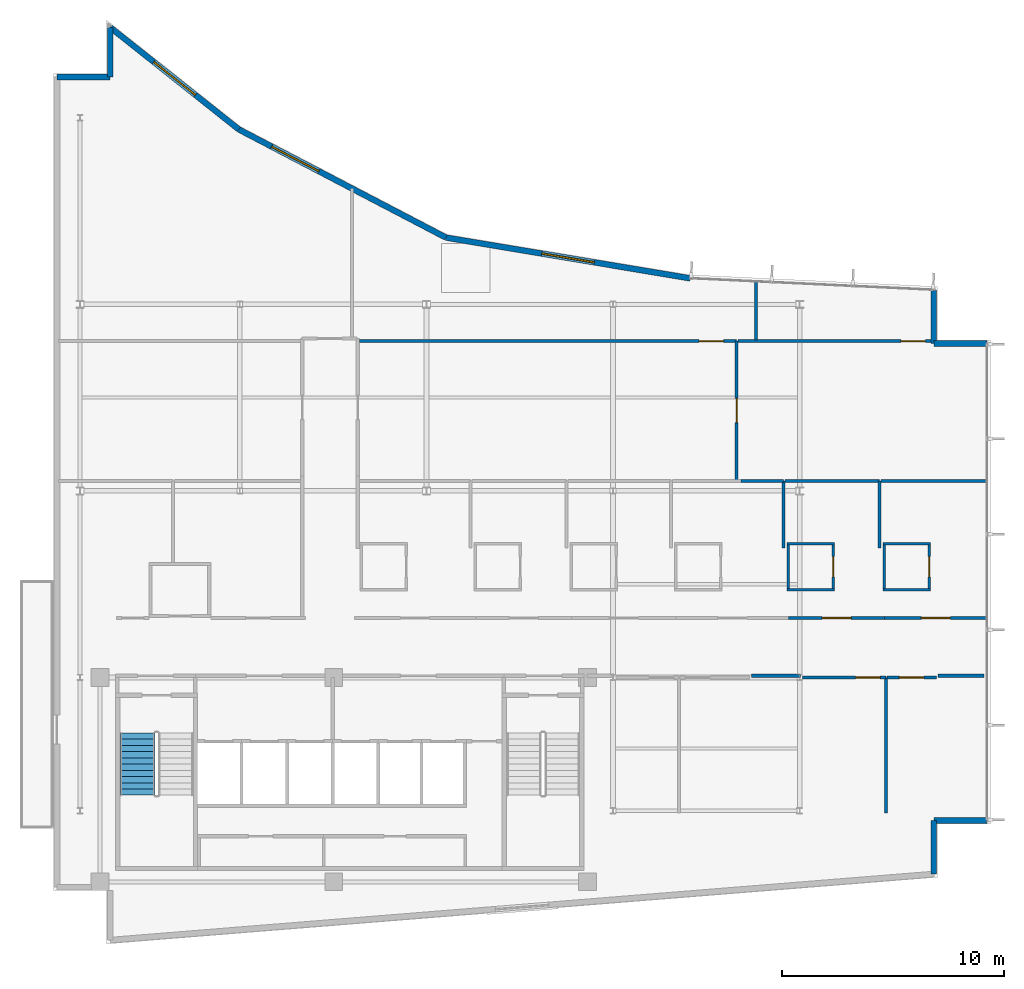
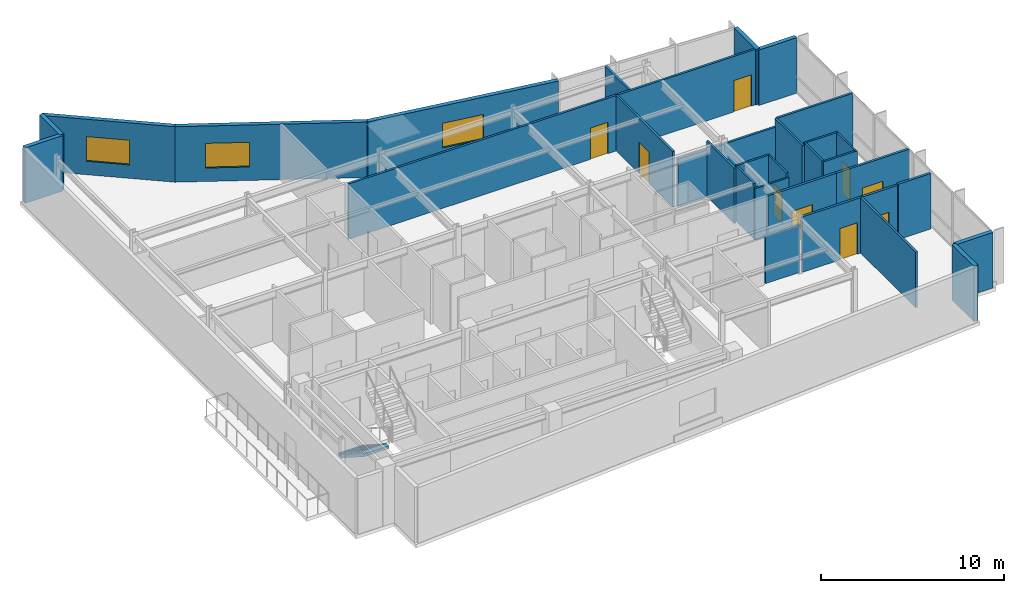
# One storey, part 12 of 16: 33 walls, 9 doors, 3 windows, 1 stair flight, 12 openings, 1 element without a shape of its own.
"""IFC4 building model written with IfcOpenShell, lengths in metres."""

from ifc_helpers import new_model, si_unit, direction, frame, frame_2d, origin, place, context, subcontext, project, spatial, polyline, rectangle, outline, extrude, material, layer, layer_set, type_object, element, fill, aggregate, save


model = new_model("IFC4")

# Units and contexts
model_context = context("Model", 3, precision=1e-05, world=origin(), true_north=direction((0.0, 1.0)))
body_context = subcontext(model_context, "Body", "Model", "MODEL_VIEW")
ifc_project = project(units=[si_unit("LENGTHUNIT", "METRE"), si_unit("AREAUNIT", "SQUARE_METRE"), si_unit("VOLUMEUNIT", "CUBIC_METRE"), si_unit("PLANEANGLEUNIT", "RADIAN"), si_unit("MASSUNIT", "GRAM", prefix="KILO")], contexts=[model_context])

# Site, building, storey
site_placement = place(None, origin())
site = spatial("IfcSite", under=ifc_project, at=site_placement, CompositionType="ELEMENT")
building_placement = place(site_placement, origin())
building = spatial("IfcBuilding", under=site, at=building_placement, Name="Varnakote Quay Hospital", CompositionType="ELEMENT")
storey_placement = place(building_placement, frame((0.0, 0.0, 260.5)))
storey = spatial("IfcBuildingStorey", under=building, at=storey_placement, Name="L64", CompositionType="ELEMENT", Elevation=260.5)

# Walls
ifc_material_1 = material(Name="Fire-rated acoustic gypsum stud wall", Category="gypsum")
ifc_layer_1 = layer(ifc_material_1, 0.159912109375)
ifc_layer_set_1 = layer_set([ifc_layer_1], Name="Fire-rated acoustic gypsum stud wall")
wall_type_1 = type_object("IfcWallType", Name="WL-COMP-160", PredefinedType="PARTITIONING", material=ifc_layer_set_1)
wall_1_placement = place(storey_placement, frame((31.439208984375, 12.080078125, 0.0), z_axis=(0.0, 0.0, 1.0), x_axis=(1.0, 0.0, 0.0)))
element("IfcWall", 1, at=wall_1_placement, inside=storey, type_object=wall_type_1, Name="L64 Corridor South Gap Wall", PredefinedType="PARTITIONING", context=body_context, shape_type="SweptSolid", body=[
    extrude(rectangle(XDim=2.198486328125, YDim=0.159912109375, at=frame_2d((1.09912109375, 0.0))), origin(), (0.0, 0.0, 1.0), 3.156982421875),
])
wall_2_placement = place(storey_placement, frame((39.83935546875, 12.080078125, 0.0), z_axis=(0.0, 0.0, 1.0), x_axis=(1.0, 0.0, 0.0)))
element("IfcWall", 2, at=wall_2_placement, inside=storey, type_object=wall_type_1, Name="L64 Corridor South Gap Wall", PredefinedType="PARTITIONING", context=body_context, shape_type="SweptSolid", body=[
    extrude(rectangle(XDim=2.060546875, YDim=0.159912109375, at=frame_2d((1.0302734375, 0.0))), origin(), (0.0, 0.0, 1.0), 3.7099609375),
])
ifc_material_2 = material(Name="Moisture-resistant bathroom partition", Category="gypsum")
ifc_layer_2 = layer(ifc_material_2, 0.114990234375)
ifc_layer_set_2 = layer_set([ifc_layer_2], Name="Moisture-resistant bathroom partition")
wall_type_2 = type_object("IfcWallType", Name="WL-ENS-115", PredefinedType="PARTITIONING", material=ifc_layer_set_2)
wall_3_placement = place(storey_placement, frame((33.02490234375, 15.952392578125, 0.0), z_axis=(0.0, 0.0, 1.0), x_axis=(1.0, 0.0, 0.0)))
element("IfcWall", 3, at=wall_3_placement, inside=storey, type_object=wall_type_2, Name="L64 Inpatient En-Suite Bathroom 05 S Wall", PredefinedType="PARTITIONING", context=body_context, shape_type="SweptSolid", body=[
    extrude(rectangle(XDim=2.150146484375, YDim=0.114990234375, at=frame_2d((1.0751953125, 0.0))), origin(), (0.0, 0.0, 1.0), 3.428955078125),
])
wall_4_placement = place(storey_placement, frame((33.02490234375, 18.017578125, 0.0), z_axis=(0.0, 0.0, 1.0), x_axis=(1.0, 0.0, 0.0)))
element("IfcWall", 4, at=wall_4_placement, inside=storey, type_object=wall_type_2, Name="L64 Inpatient En-Suite Bathroom 05 N Wall", PredefinedType="PARTITIONING", context=body_context, shape_type="SweptSolid", body=[
    extrude(rectangle(XDim=2.150146484375, YDim=0.114990234375, at=frame_2d((1.0751953125, 0.0))), origin(), (0.0, 0.0, 1.0), 3.7099609375),
])
wall_5_placement = place(storey_placement, frame((33.08251953125, 16.010009765625, 0.0), z_axis=(0.0, 0.0, 1.0), x_axis=(0.0, 1.0, 0.0)))
element("IfcWall", 5, at=wall_5_placement, inside=storey, type_object=wall_type_2, Name="L64 Inpatient En-Suite Bathroom 05 W Wall", PredefinedType="PARTITIONING", context=body_context, shape_type="SweptSolid", body=[
    extrude(rectangle(XDim=1.949951171875, YDim=0.114990234375, at=frame_2d((0.97509765625, 0.0))), origin(), (0.0, 0.0, 1.0), 3.7099609375),
])

# Wall, opening, door
wall_6_placement = place(storey_placement, frame((35.117431640625, 16.010009765625, 0.0), z_axis=(0.0, 0.0, 1.0), x_axis=(0.0, 1.0, 0.0)))
wall_6 = element("IfcWall", 6, at=wall_6_placement, inside=storey, type_object=wall_type_2, Name="L64 Inpatient En-Suite Bathroom 05 E Wall", PredefinedType="PARTITIONING", context=body_context, shape_type="SweptSolid", body=[
    extrude(rectangle(XDim=1.949951171875, YDim=0.114990234375, at=frame_2d((0.97509765625, 0.0))), origin(), (0.0, 0.0, 1.0), 3.7099609375),
])
opening_1_placement = place(wall_6_placement, frame((0.514892578125, 0.0, 0.0)))
opening_1 = element("IfcOpeningElement", 7, at=opening_1_placement, cuts=wall_6, Name="Opening D-L64-ENS05", PredefinedType="OPENING", context=body_context, shape_type="SweptSolid", body=[
    extrude(rectangle(XDim=0.919921875, YDim=2.10009765625, at=frame_2d((0.4599609375, 1.050048828125))), frame((0.0, 0.0673828125, 0.0), z_axis=(0.0, -1.0, 0.0), x_axis=(1.0, 0.0, 0.0)), (0.0, 0.0, 1.0), 0.135009765625),
])
ifc_material_3 = material(Name="Moisture-sealed en-suite bathroom door")
door_type_1 = type_object("IfcDoorType", Name="DR-ENS-920x2100", OperationType="NOTDEFINED", PredefinedType="DOOR", material=ifc_material_3)
door_1_placement = place(opening_1_placement, origin())
door_1 = element("IfcDoor", 8, at=door_1_placement, inside=storey, type_object=door_type_1, Name="L64 Inpatient En-Suite Bathroom 05 Door", OperationType="SINGLE_SWING_LEFT", OverallHeight=2.10009765625, OverallWidth=0.919921875, PredefinedType="DOOR", context=body_context, shape_type="SweptSolid", body=[
    extrude(rectangle(XDim=0.919921875, YDim=2.10009765625, at=frame_2d((0.4599609375, 1.050048828125))), frame((0.0, 0.02490234375, 0.0), z_axis=(0.0, -1.0, 0.0), x_axis=(1.0, 0.0, 0.0)), (0.0, 0.0, 1.0), 0.050048828125),
])
fill(opening_1, door_1)

# Walls
for number, where, z_axis, x_axis, name in (
    (9, (37.344970703125, 15.952392578125, 0.0), (0.0, 0.0, 1.0), (1.0, 0.0, 0.0), "L64 Inpatient En-Suite Bathroom 06 S Wall"),
    (10, (37.344970703125, 18.017578125, 0.0), (0.0, 0.0, 1.0), (1.0, 0.0, 0.0), "L64 Inpatient En-Suite Bathroom 06 N Wall"),
):
    element("IfcWall", number, at=place(storey_placement, frame(where, z_axis=z_axis, x_axis=x_axis)), inside=storey, type_object=wall_type_2, Name=name, PredefinedType="PARTITIONING", context=body_context, shape_type="SweptSolid", body=[
        extrude(rectangle(XDim=2.150146484375, YDim=0.114990234375, at=frame_2d((1.0751953125, 0.0))), origin(), (0.0, 0.0, 1.0), 3.7099609375),
    ])
wall_7_placement = place(storey_placement, frame((37.402587890625, 16.010009765625, 0.0), z_axis=(0.0, 0.0, 1.0), x_axis=(0.0, 1.0, 0.0)))
element("IfcWall", 11, at=wall_7_placement, inside=storey, type_object=wall_type_2, Name="L64 Inpatient En-Suite Bathroom 06 W Wall", PredefinedType="PARTITIONING", context=body_context, shape_type="SweptSolid", body=[
    extrude(rectangle(XDim=1.949951171875, YDim=0.114990234375, at=frame_2d((0.97509765625, 0.0))), origin(), (0.0, 0.0, 1.0), 3.7099609375),
])

# Wall, opening, door
wall_8_placement = place(storey_placement, frame((39.4375, 16.010009765625, 0.0), z_axis=(0.0, 0.0, 1.0), x_axis=(0.0, 1.0, 0.0)))
wall_8 = element("IfcWall", 12, at=wall_8_placement, inside=storey, type_object=wall_type_2, Name="L64 Inpatient En-Suite Bathroom 06 E Wall", PredefinedType="PARTITIONING", context=body_context, shape_type="SweptSolid", body=[
    extrude(rectangle(XDim=1.949951171875, YDim=0.114990234375, at=frame_2d((0.97509765625, 0.0))), origin(), (0.0, 0.0, 1.0), 3.7099609375),
])
opening_2_placement = place(wall_8_placement, frame((0.514892578125, 0.0, 0.0)))
opening_2 = element("IfcOpeningElement", 13, at=opening_2_placement, cuts=wall_8, Name="Opening D-L64-ENS06", PredefinedType="OPENING", context=body_context, shape_type="SweptSolid", body=[
    extrude(rectangle(XDim=0.919921875, YDim=2.10009765625, at=frame_2d((0.4599609375, 1.050048828125))), frame((0.0, 0.0673828125, 0.0), z_axis=(0.0, -1.0, 0.0), x_axis=(1.0, 0.0, 0.0)), (0.0, 0.0, 1.0), 0.135009765625),
])
door_2_placement = place(opening_2_placement, origin())
door_2 = element("IfcDoor", 14, at=door_2_placement, inside=storey, type_object=door_type_1, Name="L64 Inpatient En-Suite Bathroom 06 Door", OperationType="SINGLE_SWING_RIGHT", OverallHeight=2.10009765625, OverallWidth=0.919921875, PredefinedType="DOOR", context=body_context, shape_type="SweptSolid", body=[
    extrude(rectangle(XDim=0.919921875, YDim=2.10009765625, at=frame_2d((0.4599609375, 1.050048828125))), frame((0.0, 0.02490234375, 0.0), z_axis=(0.0, -1.0, 0.0), x_axis=(1.0, 0.0, 0.0)), (0.0, 0.0, 1.0), 0.050048828125),
])
fill(opening_2, door_2)

# Walls
ifc_material_4 = material(Name="Precast concrete N50 (f'c 50 MPa)", Category="concrete")
ifc_layer_3 = layer(ifc_material_4, 0.260009765625)
ifc_layer_set_3 = layer_set([ifc_layer_3], Name="Precast concrete N50 (f'c 50 MPa)")
wall_type_3 = type_object("IfcWallType", Name="WL-EXT-BRICK-260", PredefinedType="STANDARD", material=ifc_layer_set_3)
wall_9_placement = place(storey_placement, frame((39.639892578125, 3.147705078125, 0.0), z_axis=(0.0, 0.0, 1.0), x_axis=(0.0, 1.0, 0.0)))
element("IfcWall", 15, at=wall_9_placement, inside=storey, type_object=wall_type_3, Name="L64 Brick-Faced Precast Exterior Wall", PredefinedType="STANDARD", context=body_context, shape_type="SweptSolid", body=[
    extrude(rectangle(XDim=2.412353515625, YDim=0.260009765625, at=frame_2d((1.2060546875, 0.0))), origin(), (0.0, 0.0, 1.0), 3.7099609375),
])
for number, where, z_axis, x_axis, name in (
    (16, (39.639892578125, 5.56005859375, 0.0), (0.0, 0.0, 1.0), (1.0, 0.0, 0.0), "L64 Brick-Faced Precast Exterior Wall"),
    (17, (42.0400390625, 27.0400390625, 0.0), (0.0, 0.0, 1.0), (-1.0, 0.0, 0.0), "L64 Brick-Faced Precast Exterior Wall"),
):
    element("IfcWall", number, at=place(storey_placement, frame(where, z_axis=z_axis, x_axis=x_axis)), inside=storey, type_object=wall_type_3, Name=name, PredefinedType="STANDARD", context=body_context, shape_type="SweptSolid", body=[
        extrude(rectangle(XDim=2.400146484375, YDim=0.260009765625, at=frame_2d((1.2001953125, 0.0))), origin(), (0.0, 0.0, 1.0), 3.7099609375),
    ])
wall_10_placement = place(storey_placement, frame((39.639892578125, 27.0400390625, 0.0), z_axis=(0.0, 0.0, 1.0), x_axis=(0.0, 1.0, 0.0)))
element("IfcWall", 18, at=wall_10_placement, inside=storey, type_object=wall_type_3, Name="L64 Brick-Faced Precast Exterior Wall", PredefinedType="STANDARD", context=body_context, shape_type="SweptSolid", body=[
    extrude(rectangle(XDim=2.407470703125, YDim=0.260009765625, at=frame_2d((1.20361328125, 0.0))), origin(), (0.0, 0.0, 1.0), 3.7099609375),
])

# Wall, opening, window
wall_11_placement = place(storey_placement, frame((28.678955078125, 29.968505859375, 0.0), z_axis=(0.0, 0.0, 1.0), x_axis=(-0.986343023061, 0.164704100918, 0.0)))
wall_11 = element("IfcWall", 19, at=wall_11_placement, inside=storey, type_object=wall_type_3, Name="L64 Brick-Faced Precast Exterior Wall", PredefinedType="STANDARD", context=body_context, shape_type="SweptSolid", body=[
    extrude(rectangle(XDim=11.15869140625, YDim=0.260009765625, at=frame_2d((5.579345703125, 0.0))), origin(), (0.0, 0.0, 1.0), 3.7099609375),
])
opening_3_placement = place(wall_11_placement, frame((4.37939453125, 0.0, 0.89990234375)))
opening_3 = element("IfcOpeningElement", 20, at=opening_3_placement, cuts=wall_11, Name="Opening WN-0259", PredefinedType="OPENING", context=body_context, shape_type="SweptSolid", body=[
    extrude(rectangle(XDim=2.39990234375, YDim=1.64990234375, at=frame_2d((1.199951171875, 0.824951171875))), frame((0.0, 0.139892578125, 0.0), z_axis=(0.0, -1.0, 0.0), x_axis=(1.0, 0.0, 0.0)), (0.0, 0.0, 1.0), 0.280029296875),
])
ifc_material_5 = material(Name="Double-glazed low-E solar glass", Category="glass")
window_type = type_object("IfcWindowType", Name="WIN-CLIN-2400x1650", PartitioningType="SINGLE_PANEL", PredefinedType="WINDOW", material=ifc_material_5)
window_1_placement = place(opening_3_placement, origin())
window_1 = element("IfcWindow", 21, at=window_1_placement, inside=storey, type_object=window_type, Name="L64 Solar-Control Clinical Window", OverallHeight=1.64990234375, OverallWidth=2.39990234375, PartitioningType="SINGLE_PANEL", PredefinedType="WINDOW", context=body_context, shape_type="SweptSolid", body=[
    extrude(rectangle(XDim=2.39990234375, YDim=1.64990234375, at=frame_2d((1.199951171875, 0.824951171875))), frame((0.0, 0.030029296875, 0.0), z_axis=(0.0, -1.0, 0.0), x_axis=(1.0, 0.0, 0.0)), (0.0, 0.0, 1.0), 0.06005859375),
])
fill(opening_3, window_1)

wall_12_placement = place(storey_placement, frame((17.672607421875, 31.806396484375, 0.0), z_axis=(0.0, 0.0, 1.0), x_axis=(-0.886426635565, 0.462869117311, 0.0)))
wall_12 = element("IfcWall", 22, at=wall_12_placement, inside=storey, type_object=wall_type_3, Name="L64 Brick-Faced Precast Exterior Wall", PredefinedType="STANDARD", context=body_context, shape_type="SweptSolid", body=[
    extrude(rectangle(XDim=10.51416015625, YDim=0.260009765625, at=frame_2d((5.257080078125, 0.0))), origin(), (0.0, 0.0, 1.0), 3.7099609375),
])
opening_4_placement = place(wall_12_placement, frame((6.44873046875, 0.0, 0.89990234375)))
opening_4 = element("IfcOpeningElement", 23, at=opening_4_placement, cuts=wall_12, Name="Opening WN-0260", PredefinedType="OPENING", context=body_context, shape_type="SweptSolid", body=[
    extrude(rectangle(XDim=2.39990234375, YDim=1.64990234375, at=frame_2d((1.199951171875, 0.824951171875))), frame((0.0, 0.139892578125, 0.0), z_axis=(0.0, -1.0, 0.0), x_axis=(1.0, 0.0, 0.0)), (0.0, 0.0, 1.0), 0.280029296875),
])
window_2_placement = place(opening_4_placement, origin())
window_2 = element("IfcWindow", 24, at=window_2_placement, inside=storey, type_object=window_type, Name="L64 Solar-Control Clinical Window", OverallHeight=1.64990234375, OverallWidth=2.39990234375, PartitioningType="SINGLE_PANEL", PredefinedType="WINDOW", context=body_context, shape_type="SweptSolid", body=[
    extrude(rectangle(XDim=2.39990234375, YDim=1.64990234375, at=frame_2d((1.199951171875, 0.824951171875))), frame((0.0, 0.030029296875, 0.0), z_axis=(0.0, -1.0, 0.0), x_axis=(1.0, 0.0, 0.0)), (0.0, 0.0, 1.0), 0.06005859375),
])
fill(opening_4, window_2)

wall_13_placement = place(storey_placement, frame((8.3525390625, 36.673095703125, 0.0), z_axis=(0.0, 0.0, 1.0), x_axis=(-0.783387911746, 0.621533088203, 0.0)))
wall_13 = element("IfcWall", 25, at=wall_13_placement, inside=storey, type_object=wall_type_3, Name="L64 Brick-Faced Precast Exterior Wall", PredefinedType="STANDARD", context=body_context, shape_type="SweptSolid", body=[
    extrude(rectangle(XDim=7.39404296875, YDim=0.260009765625, at=frame_2d((3.697021484375, 0.0))), origin(), (0.0, 0.0, 1.0), 3.7099609375),
])
opening_5_placement = place(wall_13_placement, frame((2.4970703125, 0.0, 0.89990234375)))
opening_5 = element("IfcOpeningElement", 26, at=opening_5_placement, cuts=wall_13, Name="Opening WN-0261", PredefinedType="OPENING", context=body_context, shape_type="SweptSolid", body=[
    extrude(rectangle(XDim=2.39990234375, YDim=1.64990234375, at=frame_2d((1.199951171875, 0.824951171875))), frame((0.0, 0.139892578125, 0.0), z_axis=(0.0, -1.0, 0.0), x_axis=(1.0, 0.0, 0.0)), (0.0, 0.0, 1.0), 0.280029296875),
])
window_3_placement = place(opening_5_placement, origin())
window_3 = element("IfcWindow", 27, at=window_3_placement, inside=storey, type_object=window_type, Name="L64 Solar-Control Clinical Window", OverallHeight=1.64990234375, OverallWidth=2.39990234375, PartitioningType="SINGLE_PANEL", PredefinedType="WINDOW", context=body_context, shape_type="SweptSolid", body=[
    extrude(rectangle(XDim=2.39990234375, YDim=1.64990234375, at=frame_2d((1.199951171875, 0.824951171875))), frame((0.0, 0.030029296875, 0.0), z_axis=(0.0, -1.0, 0.0), x_axis=(1.0, 0.0, 0.0)), (0.0, 0.0, 1.0), 0.06005859375),
])
fill(opening_5, window_3)

# Walls
wall_14_placement = place(storey_placement, frame((2.56005859375, 41.268798828125, 0.0), z_axis=(0.0, 0.0, 1.0), x_axis=(0.0, -1.0, 0.0)))
element("IfcWall", 28, at=wall_14_placement, inside=storey, type_object=wall_type_3, Name="L64 Brick-Faced Precast Exterior Wall", PredefinedType="STANDARD", context=body_context, shape_type="SweptSolid", body=[
    extrude(rectangle(XDim=2.228759765625, YDim=0.260009765625, at=frame_2d((1.1142578125, 0.0))), origin(), (0.0, 0.0, 1.0), 3.7099609375),
])
wall_15_placement = place(storey_placement, frame((2.56005859375, 39.0400390625, 0.0), z_axis=(0.0, 0.0, 1.0), x_axis=(-1.0, 0.0, 0.0)))
element("IfcWall", 29, at=wall_15_placement, inside=storey, type_object=wall_type_3, Name="L64 Brick-Faced Precast Exterior Wall", PredefinedType="STANDARD", context=body_context, shape_type="SweptSolid", body=[
    extrude(rectangle(XDim=2.400146484375, YDim=0.260009765625, at=frame_2d((1.2001953125, 0.0))), origin(), (0.0, 0.0, 1.0), 3.7099609375),
])
ifc_material_6 = material(Name="Smoke-proof clinical partition", Category="gypsum")
ifc_layer_4 = layer(ifc_material_6, 0.135009765625)
ifc_layer_set_4 = layer_set([ifc_layer_4], Name="Smoke-proof clinical partition")
wall_type_4 = type_object("IfcWallType", Name="WL-SMOKE-135", PredefinedType="PARTITIONING", material=ifc_layer_set_4)
wall_16_placement = place(storey_placement, frame((37.47998046875, 5.89990234375, 0.0), z_axis=(0.0, 0.0, 1.0), x_axis=(0.0, 1.0, 0.0)))
element("IfcWall", 30, at=wall_16_placement, inside=storey, type_object=wall_type_4, Name="L64 Clinical Interior Partition", PredefinedType="PARTITIONING", context=body_context, shape_type="SweptSolid", body=[
    extrude(rectangle(XDim=6.10009765625, YDim=0.135009765625, at=frame_2d((3.050048828125, 0.0))), origin(), (0.0, 0.0, 1.0), 3.7099609375),
])
wall_17_placement = place(storey_placement, frame((32.8798828125, 17.83251953125, 0.0), z_axis=(0.0, 0.0, 1.0), x_axis=(0.0, 1.0, 0.0)))
element("IfcWall", 31, at=wall_17_placement, inside=storey, type_object=wall_type_4, Name="L64 Clinical Interior Partition", PredefinedType="PARTITIONING", context=body_context, shape_type="SweptSolid", body=[
    extrude(rectangle(XDim=3.007568359375, YDim=0.135009765625, at=frame_2d((1.50390625, 0.0))), origin(), (0.0, 0.0, 1.0), 3.7099609375),
])
wall_18_placement = place(storey_placement, frame((32.8798828125, 20.840087890625, 0.0), z_axis=(0.0, 0.0, 1.0), x_axis=(-1.0, 0.0, 0.0)))
element("IfcWall", 32, at=wall_18_placement, inside=storey, type_object=wall_type_4, Name="L64 Clinical Interior Partition", PredefinedType="PARTITIONING", context=body_context, shape_type="SweptSolid", body=[
    extrude(rectangle(XDim=1.910400390625, YDim=0.135009765625, at=frame_2d((0.955078125, 0.0))), origin(), (0.0, 0.0, 1.0), 3.156982421875),
])
wall_19_placement = place(storey_placement, frame((37.199951171875, 17.83251953125, 0.0), z_axis=(0.0, 0.0, 1.0), x_axis=(0.0, 1.0, 0.0)))
element("IfcWall", 33, at=wall_19_placement, inside=storey, type_object=wall_type_4, Name="L64 Clinical Interior Partition", PredefinedType="PARTITIONING", context=body_context, shape_type="SweptSolid", body=[
    extrude(rectangle(XDim=3.007568359375, YDim=0.135009765625, at=frame_2d((1.50390625, 0.0))), origin(), (0.0, 0.0, 1.0), 3.7099609375),
])
wall_20_placement = place(storey_placement, frame((37.199951171875, 20.840087890625, 0.0), z_axis=(0.0, 0.0, 1.0), x_axis=(-1.0, 0.0, 0.0)))
element("IfcWall", 34, at=wall_20_placement, inside=storey, type_object=wall_type_4, Name="L64 Clinical Interior Partition", PredefinedType="PARTITIONING", context=body_context, shape_type="SweptSolid", body=[
    extrude(rectangle(XDim=4.262451171875, YDim=0.135009765625, at=frame_2d((2.13134765625, 0.0))), origin(), (0.0, 0.0, 1.0), 3.156982421875),
])
wall_21_placement = place(storey_placement, frame((42.0400390625, 20.840087890625, 0.0), z_axis=(0.0, 0.0, 1.0), x_axis=(-1.0, 0.0, 0.0)))
element("IfcWall", 35, at=wall_21_placement, inside=storey, type_object=wall_type_4, Name="L64 Clinical Interior Partition", PredefinedType="PARTITIONING", context=body_context, shape_type="SweptSolid", body=[
    extrude(rectangle(XDim=4.782470703125, YDim=0.135009765625, at=frame_2d((2.39111328125, 0.0))), origin(), (0.0, 0.0, 1.0), 3.7099609375),
])

# Wall, opening, door
wall_22_placement = place(storey_placement, frame((30.760009765625, 20.8974609375, 0.0), z_axis=(0.0, 0.0, 1.0), x_axis=(0.0, 1.0, 0.0)))
wall_22 = element("IfcWall", 36, at=wall_22_placement, inside=storey, type_object=wall_type_4, Name="L64 Clinical Interior Partition", PredefinedType="PARTITIONING", context=body_context, shape_type="SweptSolid", body=[
    extrude(rectangle(XDim=6.242431640625, YDim=0.135009765625, at=frame_2d((3.12109375, 0.0))), origin(), (0.0, 0.0, 1.0), 3.7099609375),
])
opening_6_placement = place(wall_22_placement, frame((2.5712890625, 0.0, 0.0)))
opening_6 = element("IfcOpeningElement", 37, at=opening_6_placement, cuts=wall_22, Name="Opening D-L64-MD04", PredefinedType="OPENING", context=body_context, shape_type="SweptSolid", body=[
    extrude(rectangle(XDim=1.10009765625, YDim=2.10009765625, at=frame_2d((0.550048828125, 1.050048828125))), frame((0.0, 0.077392578125, 0.0), z_axis=(0.0, -1.0, 0.0), x_axis=(1.0, 0.0, 0.0)), (0.0, 0.0, 1.0), 0.155029296875),
])
ifc_material_7 = material(Name="Acoustic timber clinical consult door", Category="wood")
door_type_2 = type_object("IfcDoorType", Name="DR-CLIN-FD30S-1100x2100", OperationType="NOTDEFINED", PredefinedType="DOOR", material=ifc_material_7)
door_3_placement = place(opening_6_placement, origin())
door_3 = element("IfcDoor", 38, at=door_3_placement, inside=storey, type_object=door_type_2, Name="L64 Ward Medication Pantry Door", OperationType="SINGLE_SWING_RIGHT", OverallHeight=2.10009765625, OverallWidth=1.10009765625, PredefinedType="DOOR", context=body_context, shape_type="SweptSolid", body=[
    extrude(rectangle(XDim=1.10009765625, YDim=2.10009765625, at=frame_2d((0.550048828125, 1.050048828125))), frame((0.0, 0.02490234375, 0.0), z_axis=(0.0, -1.0, 0.0), x_axis=(1.0, 0.0, 0.0)), (0.0, 0.0, 1.0), 0.050048828125),
])
fill(opening_6, door_3)

wall_23_placement = place(storey_placement, frame((30.760009765625, 27.139892578125, 0.0), z_axis=(0.0, 0.0, 1.0), x_axis=(-1.0, 0.0, 0.0)))
wall_23 = element("IfcWall", 39, at=wall_23_placement, inside=storey, type_object=wall_type_4, Name="L64 Clinical Interior Partition", PredefinedType="PARTITIONING", context=body_context, shape_type="SweptSolid", body=[
    extrude(rectangle(XDim=16.97998046875, YDim=0.135009765625, at=frame_2d((8.489990234375, 0.0))), origin(), (0.0, 0.0, 1.0), 3.7099609375),
])
opening_7_placement = place(wall_23_placement, frame((0.5869140625, 0.0, 0.0)))
opening_7 = element("IfcOpeningElement", 40, at=opening_7_placement, cuts=wall_23, Name="Opening D-L64-MD06", PredefinedType="OPENING", context=body_context, shape_type="SweptSolid", body=[
    extrude(rectangle(XDim=1.10009765625, YDim=2.10009765625, at=frame_2d((0.550048828125, 1.050048828125))), frame((0.0, 0.077392578125, 0.0), z_axis=(0.0, -1.0, 0.0), x_axis=(1.0, 0.0, 0.0)), (0.0, 0.0, 1.0), 0.155029296875),
])
door_4_placement = place(opening_7_placement, origin())
door_4 = element("IfcDoor", 41, at=door_4_placement, inside=storey, type_object=door_type_2, Name="L64 High-Acuity Step-Down Treatment Suite Door", OperationType="SINGLE_SWING_LEFT", OverallHeight=2.10009765625, OverallWidth=1.10009765625, PredefinedType="DOOR", context=body_context, shape_type="SweptSolid", body=[
    extrude(rectangle(XDim=1.10009765625, YDim=2.10009765625, at=frame_2d((0.550048828125, 1.050048828125))), frame((0.0, 0.02490234375, 0.0), z_axis=(0.0, -1.0, 0.0), x_axis=(1.0, 0.0, 0.0)), (0.0, 0.0, 1.0), 0.050048828125),
])
fill(opening_7, door_4)

wall_24_placement = place(storey_placement, frame((39.637939453125, 27.139892578125, 0.0), z_axis=(0.0, 0.0, 1.0), x_axis=(-1.0, 0.0, 0.0)))
wall_24 = element("IfcWall", 42, at=wall_24_placement, inside=storey, type_object=wall_type_4, Name="L64 Clinical Interior Partition", PredefinedType="PARTITIONING", context=body_context, shape_type="SweptSolid", body=[
    extrude(rectangle(XDim=8.820556640625, YDim=0.135009765625, at=frame_2d((4.41015625, 0.0))), origin(), (0.0, 0.0, 1.0), 3.7099609375),
])
opening_8_placement = place(wall_24_placement, frame((0.383056640625, 0.0, 0.0)))
opening_8 = element("IfcOpeningElement", 43, at=opening_8_placement, cuts=wall_24, Name="Opening D-L64-MD07", PredefinedType="OPENING", context=body_context, shape_type="SweptSolid", body=[
    extrude(rectangle(XDim=1.10009765625, YDim=2.10009765625, at=frame_2d((0.550048828125, 1.050048828125))), frame((0.0, 0.077392578125, 0.0), z_axis=(0.0, -1.0, 0.0), x_axis=(1.0, 0.0, 0.0)), (0.0, 0.0, 1.0), 0.155029296875),
])
door_5_placement = place(opening_8_placement, origin())
door_5 = element("IfcDoor", 44, at=door_5_placement, inside=storey, type_object=door_type_2, Name="L64 Surgical Clinical Consultation Suite Door", OperationType="SINGLE_SWING_RIGHT", OverallHeight=2.10009765625, OverallWidth=1.10009765625, PredefinedType="DOOR", context=body_context, shape_type="SweptSolid", body=[
    extrude(rectangle(XDim=1.10009765625, YDim=2.10009765625, at=frame_2d((0.550048828125, 1.050048828125))), frame((0.0, 0.02490234375, 0.0), z_axis=(0.0, -1.0, 0.0), x_axis=(1.0, 0.0, 0.0)), (0.0, 0.0, 1.0), 0.050048828125),
])
fill(opening_8, door_5)

# Wall
wall_25_placement = place(storey_placement, frame((31.639892578125, 27.197509765625, 0.0), z_axis=(0.0, 0.0, 1.0), x_axis=(0.0, 1.0, 0.0)))
element("IfcWall", 45, at=wall_25_placement, inside=storey, type_object=wall_type_4, Name="L64 Clinical Interior Partition", PredefinedType="PARTITIONING", context=body_context, shape_type="SweptSolid", body=[
    extrude(rectangle(XDim=2.63037109375, YDim=0.135009765625, at=frame_2d((1.315185546875, 0.0))), origin(), (0.0, 0.0, 1.0), 3.7099609375),
])

# Wall, opening, door
ifc_material_8 = material(Name="Fire-rated clinical gypsum partition", Category="gypsum")
ifc_layer_5 = layer(ifc_material_8, 0.14990234375)
ifc_layer_set_5 = layer_set([ifc_layer_5], Name="Fire-rated clinical gypsum partition")
wall_type_5 = type_object("IfcWallType", Name="WL-WARD-150", PredefinedType="PARTITIONING", material=ifc_layer_set_5)
wall_26_placement = place(storey_placement, frame((37.47998046875, 12.0, 0.0), z_axis=(0.0, 0.0, 1.0), x_axis=(-1.0, 0.0, 0.0)))
wall_26 = element("IfcWall", 46, at=wall_26_placement, inside=storey, type_object=wall_type_5, Name="L64 Clinical Interior Partition", PredefinedType="PARTITIONING", context=body_context, shape_type="SweptSolid", body=[
    extrude(rectangle(XDim=3.7529296875, YDim=0.14990234375, at=frame_2d((1.87646484375, 0.0))), origin(), (0.0, 0.0, 1.0), 3.7099609375),
])
opening_9_placement = place(wall_26_placement, frame((0.25634765625, 0.0, 0.0)))
opening_9 = element("IfcOpeningElement", 47, at=opening_9_placement, cuts=wall_26, Name="Opening D-L64-RM1", PredefinedType="OPENING", context=body_context, shape_type="SweptSolid", body=[
    extrude(rectangle(XDim=1.10009765625, YDim=2.10009765625, at=frame_2d((0.550048828125, 1.050048828125))), frame((0.0, 0.0849609375, 0.0), z_axis=(0.0, -1.0, 0.0), x_axis=(1.0, 0.0, 0.0)), (0.0, 0.0, 1.0), 0.169921875),
])
door_6_placement = place(opening_9_placement, origin())
door_6 = element("IfcDoor", 48, at=door_6_placement, inside=storey, type_object=door_type_2, Name="L64 Cardiac Telemetry Treatment Suite Door", OperationType="SINGLE_SWING_LEFT", OverallHeight=2.10009765625, OverallWidth=1.10009765625, PredefinedType="DOOR", context=body_context, shape_type="SweptSolid", body=[
    extrude(rectangle(XDim=1.10009765625, YDim=2.10009765625, at=frame_2d((0.550048828125, 1.050048828125))), frame((0.0, 0.02490234375, 0.0), z_axis=(0.0, -1.0, 0.0), x_axis=(1.0, 0.0, 0.0)), (0.0, 0.0, 1.0), 0.050048828125),
])
fill(opening_9, door_6)

wall_27_placement = place(storey_placement, frame((39.75, 12.0, 0.0), z_axis=(0.0, 0.0, 1.0), x_axis=(-1.0, 0.0, 0.0)))
wall_27 = element("IfcWall", 49, at=wall_27_placement, inside=storey, type_object=wall_type_5, Name="L64 Clinical Interior Partition", PredefinedType="PARTITIONING", context=body_context, shape_type="SweptSolid", body=[
    extrude(rectangle(XDim=2.21240234375, YDim=0.14990234375, at=frame_2d((1.106201171875, 0.0))), origin(), (0.0, 0.0, 1.0), 3.7099609375),
])
opening_10_placement = place(wall_27_placement, frame((0.55615234375, 0.0, 0.0)))
opening_10 = element("IfcOpeningElement", 50, at=opening_10_placement, cuts=wall_27, Name="Opening D-L64-RM2", PredefinedType="OPENING", context=body_context, shape_type="SweptSolid", body=[
    extrude(rectangle(XDim=1.10009765625, YDim=2.10009765625, at=frame_2d((0.550048828125, 1.050048828125))), frame((0.0, 0.0849609375, 0.0), z_axis=(0.0, -1.0, 0.0), x_axis=(1.0, 0.0, 0.0)), (0.0, 0.0, 1.0), 0.169921875),
])
door_7_placement = place(opening_10_placement, origin())
door_7 = element("IfcDoor", 51, at=door_7_placement, inside=storey, type_object=door_type_2, Name="L64 Vascular Diagnostics Office Door", OperationType="SINGLE_SWING_RIGHT", OverallHeight=2.10009765625, OverallWidth=1.10009765625, PredefinedType="DOOR", context=body_context, shape_type="SweptSolid", body=[
    extrude(rectangle(XDim=1.10009765625, YDim=2.10009765625, at=frame_2d((0.550048828125, 1.050048828125))), frame((0.0, 0.02490234375, 0.0), z_axis=(0.0, -1.0, 0.0), x_axis=(1.0, 0.0, 0.0)), (0.0, 0.0, 1.0), 0.050048828125),
])
fill(opening_10, door_7)

wall_28_placement = place(storey_placement, frame((37.426025390625, 14.679931640625, 0.0), z_axis=(0.0, 0.0, 1.0), x_axis=(-1.0, 0.0, 0.0)))
wall_28 = element("IfcWall", 52, at=wall_28_placement, inside=storey, type_object=wall_type_5, Name="L64 Clinical Interior Partition", PredefinedType="PARTITIONING", context=body_context, shape_type="SweptSolid", body=[
    extrude(rectangle(XDim=4.318115234375, YDim=0.14990234375, at=frame_2d((2.1591796875, 0.0))), origin(), (0.0, 0.0, 1.0), 3.7099609375),
])
opening_11_placement = place(wall_28_placement, frame((1.509033203125, 0.0, 0.0)))
opening_11 = element("IfcOpeningElement", 53, at=opening_11_placement, cuts=wall_28, Name="Opening D-L64-BR05", PredefinedType="OPENING", context=body_context, shape_type="SweptSolid", body=[
    extrude(rectangle(XDim=1.300048828125, YDim=2.14990234375, at=frame_2d((0.64990234375, 1.074951171875))), frame((0.0, 0.0849609375, 0.0), z_axis=(0.0, -1.0, 0.0), x_axis=(1.0, 0.0, 0.0)), (0.0, 0.0, 1.0), 0.169921875),
])
ifc_material_9 = material(Name="Solid-core timber clinical bed door", Category="wood")
door_type_3 = type_object("IfcDoorType", Name="DR-WARD-FD30S-1300x2150", OperationType="NOTDEFINED", PredefinedType="DOOR", material=ifc_material_9)
door_8_placement = place(opening_11_placement, origin())
door_8 = element("IfcDoor", 54, at=door_8_placement, inside=storey, type_object=door_type_3, Name="L64 Resident Care Bedroom 05 Door", OperationType="SINGLE_SWING_LEFT", OverallHeight=2.14990234375, OverallWidth=1.300048828125, PredefinedType="DOOR", context=body_context, shape_type="SweptSolid", body=[
    extrude(rectangle(XDim=1.300048828125, YDim=2.14990234375, at=frame_2d((0.64990234375, 1.074951171875))), frame((0.0, 0.02490234375, 0.0), z_axis=(0.0, -1.0, 0.0), x_axis=(1.0, 0.0, 0.0)), (0.0, 0.0, 1.0), 0.050048828125),
])
fill(opening_11, door_8)

wall_29_placement = place(storey_placement, frame((42.0400390625, 14.679931640625, 0.0), z_axis=(0.0, 0.0, 1.0), x_axis=(-1.0, 0.0, 0.0)))
wall_29 = element("IfcWall", 55, at=wall_29_placement, inside=storey, type_object=wall_type_5, Name="L64 Clinical Interior Partition", PredefinedType="PARTITIONING", context=body_context, shape_type="SweptSolid", body=[
    extrude(rectangle(XDim=4.612060546875, YDim=0.14990234375, at=frame_2d((2.30615234375, 0.0))), origin(), (0.0, 0.0, 1.0), 3.7099609375),
])
opening_12_placement = place(wall_29_placement, frame((1.656005859375, 0.0, 0.0)))
opening_12 = element("IfcOpeningElement", 56, at=opening_12_placement, cuts=wall_29, Name="Opening D-L64-BR06", PredefinedType="OPENING", context=body_context, shape_type="SweptSolid", body=[
    extrude(rectangle(XDim=1.300048828125, YDim=2.14990234375, at=frame_2d((0.64990234375, 1.074951171875))), frame((0.0, 0.0849609375, 0.0), z_axis=(0.0, -1.0, 0.0), x_axis=(1.0, 0.0, 0.0)), (0.0, 0.0, 1.0), 0.169921875),
])
door_9_placement = place(opening_12_placement, origin())
door_9 = element("IfcDoor", 57, at=door_9_placement, inside=storey, type_object=door_type_3, Name="L64 Resident Care Bedroom 06 Door", OperationType="SINGLE_SWING_RIGHT", OverallHeight=2.14990234375, OverallWidth=1.300048828125, PredefinedType="DOOR", context=body_context, shape_type="SweptSolid", body=[
    extrude(rectangle(XDim=1.300048828125, YDim=2.14990234375, at=frame_2d((0.64990234375, 1.074951171875))), frame((0.0, 0.02490234375, 0.0), z_axis=(0.0, -1.0, 0.0), x_axis=(1.0, 0.0, 0.0)), (0.0, 0.0, 1.0), 0.050048828125),
])
fill(opening_12, door_9)

# Stair, stair flight
ifc_material_10 = material(Name="Concrete N40 (f'c 40 MPa)", Category="concrete")
stair_type = type_object("IfcStairType", Name="STR-CORE-1580", PredefinedType="HALF_TURN_STAIR", material=ifc_material_10)
stair_placement = place(storey_placement, origin())
stair = element("IfcStair", 58, at=stair_placement, inside=storey, type_object=stair_type, Name="L64 Fire-Isolated Exit Stair ST-01", PredefinedType="HALF_TURN_STAIR")
ifc_material_11 = material(Name="Concrete N40 (f'c 40 MPa)", Category="concrete")
ifc_layer_6 = layer(ifc_material_11, 0.159912109375)
ifc_layer_set_6 = layer_set([ifc_layer_6], Name="Concrete N40 (f'c 40 MPa)")
stair_flight_type = type_object("IfcStairFlightType", Name="FLT-CORE-1580", PredefinedType="STRAIGHT", material=ifc_layer_set_6)
stair_flight_placement = place(storey_placement, frame((3.7900390625, 9.5, 0.0), z_axis=(0.0, 0.0, 1.0), x_axis=(0.0, -1.0, 0.0)))
stair_flight = element("IfcStairFlight", 59, at=stair_flight_placement, type_object=stair_flight_type, Name="ST-01 flight 1", NumberOfRisers=11, NumberOfTreads=10, PredefinedType="STRAIGHT", RiserHeight=0.179545455, TreadLength=0.28, context=body_context, shape_type="SweptSolid", body=[
    extrude(outline(polyline([(0.0, 0.0), (0.0, 0.179443359375), (0.280029296875, 0.179443359375), (0.280029296875, 0.359130859375), (0.56005859375, 0.359130859375), (0.56005859375, 0.53857421875), (0.840087890625, 0.53857421875), (0.840087890625, 0.71826171875), (1.1201171875, 0.71826171875), (1.1201171875, 0.897705078125), (1.39990234375, 0.897705078125), (1.39990234375, 1.077392578125), (1.679931640625, 1.077392578125), (1.679931640625, 1.2568359375), (1.9599609375, 1.2568359375), (1.9599609375, 1.436279296875), (2.239990234375, 1.436279296875), (2.239990234375, 1.615966796875), (2.52001953125, 1.615966796875), (2.52001953125, 1.79541015625), (2.800048828125, 1.79541015625), (2.800048828125, 1.97509765625), (2.800048828125, 1.60546875), (0.296142578125, 0.0), (0.0, 0.0)])), frame((0.0, 0.7900390625, 0.0), z_axis=(0.0, -1.0, 0.0), x_axis=(1.0, 0.0, 0.0)), (0.0, 0.0, 1.0), 1.580078125),
])
aggregate(stair, [stair_flight])

save(model, "model.ifc")
